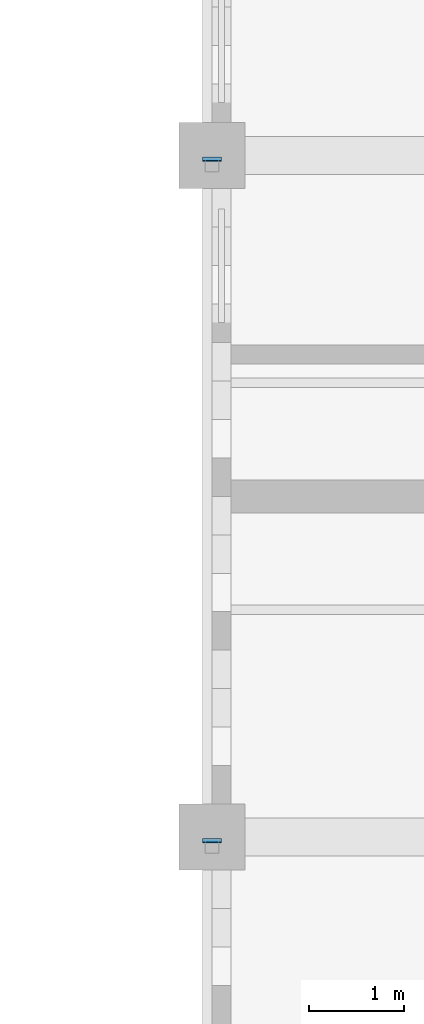
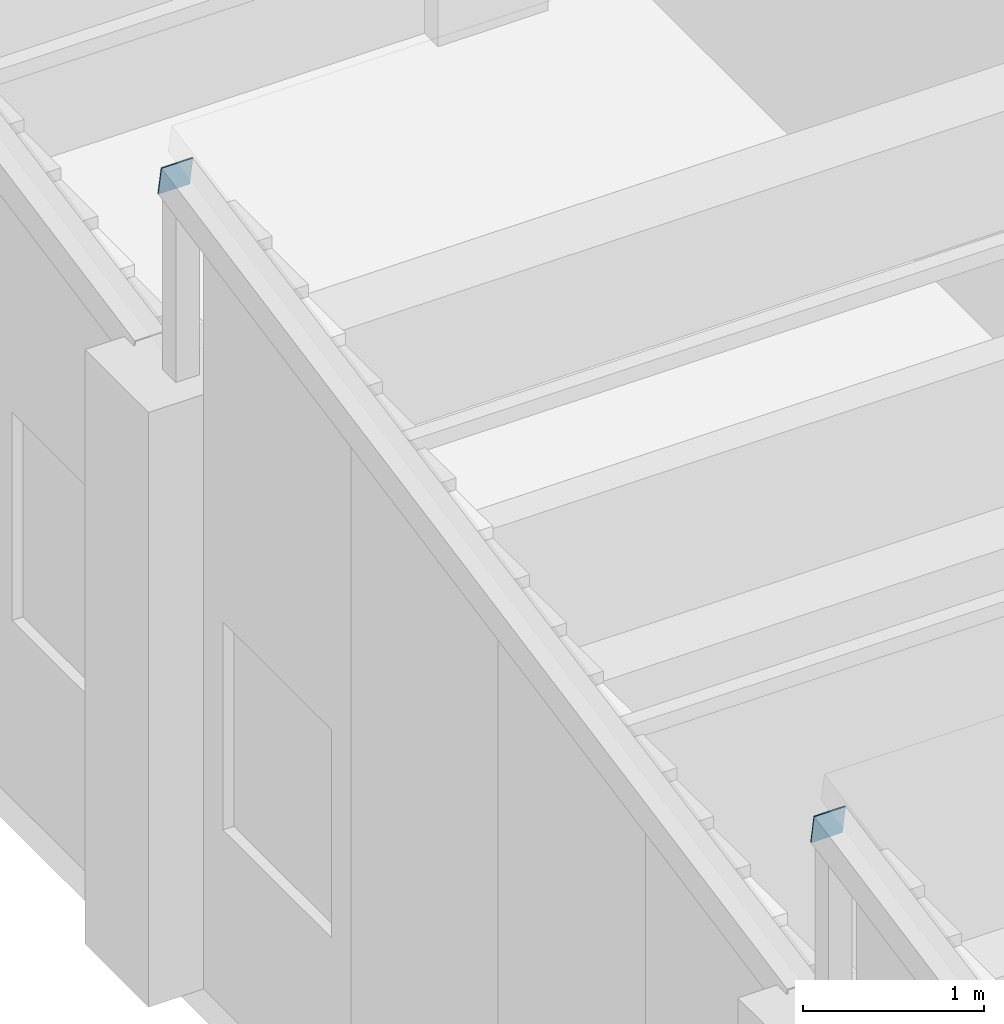
# One storey, part 86 of 103: 2 discrete accessories.
"""IFC4 building model written with IfcOpenShell, lengths in metres."""

from ifc_helpers import new_model, si_unit, direction, frame, origin, origin_2d, place, context, subcontext, project, spatial, rectangle, extrude, material, material_profile, profile_set, type_object, element, save


model = new_model("IFC4")

# Units and contexts
model_context = context("Model", 3, precision=1e-05, world=origin(), true_north=direction((0.0, 1.0)))
body_context = subcontext(model_context, "Body", "Model", "MODEL_VIEW")
ifc_project = project(units=[si_unit("LENGTHUNIT", "METRE"), si_unit("AREAUNIT", "SQUARE_METRE"), si_unit("VOLUMEUNIT", "CUBIC_METRE"), si_unit("PLANEANGLEUNIT", "RADIAN"), si_unit("MASSUNIT", "GRAM", prefix="KILO")], contexts=[model_context])

# Site, building, storey
site_placement = place(None, origin())
site = spatial("IfcSite", under=ifc_project, at=site_placement, CompositionType="ELEMENT")
building_placement = place(site_placement, origin())
building = spatial("IfcBuilding", under=site, at=building_placement, Name="Laocheng Heights Fire and Rescue Headquarters", CompositionType="ELEMENT")
storey_placement = place(building_placement, frame((0.0, 0.0, 4.199951171875)))
storey = spatial("IfcBuildingStorey", under=building, at=storey_placement, Name="L01", CompositionType="ELEMENT", Elevation=4.199951171875)

# Discrete accessories
ifc_material = material(Name="Steel Q355B", Category="steel")
ifc_material_profile = material_profile(ifc_material, rectangle(XDim=0.199951171875, YDim=0.199951171875, at=origin_2d()), Name="END CAP PLATE 200 x 200 x 8 FOR STEEL RAFTER SHS 200x200x8 SAWTOOTH")
ifc_profile_set = profile_set([ifc_material_profile], Name="Steel Q355B")
discrete_accessory_type = type_object("IfcDiscreteAccessoryType", Name="END CAP PLATE 200 x 200 x 8 FOR STEEL RAFTER SHS 200x200x8 SAWTOOTH", PredefinedType="BRACKET", material=ifc_profile_set)
discrete_accessory_1_placement = place(storey_placement, frame((108.0, 7.1572265625, 5.2861328125), z_axis=(0.0, 0.9838699101, 0.1788854382), x_axis=(-1.0, 0.0, 0.0)))
element("IfcDiscreteAccessory", 1, at=discrete_accessory_1_placement, inside=storey, type_object=discrete_accessory_type, Name="Cap plate at Sawtooth rafter end 2", PredefinedType="BRACKET", context=body_context, shape_type="SweptSolid", body=[
    extrude(rectangle(XDim=0.199951171875, YDim=0.199951171875, at=origin_2d()), origin(), (0.0, 0.0, 1.0), 0.00830078125),
])
discrete_accessory_2_placement = place(storey_placement, frame((108.0, 14.357421875, 5.2861328125), z_axis=(0.0, 0.982872186934, 0.18428853505), x_axis=(-1.0, 0.0, 0.0)))
element("IfcDiscreteAccessory", 2, at=discrete_accessory_2_placement, inside=storey, type_object=discrete_accessory_type, Name="Cap plate at Sawtooth rafter end 2", PredefinedType="BRACKET", context=body_context, shape_type="SweptSolid", body=[
    extrude(rectangle(XDim=0.199951171875, YDim=0.199951171875, at=origin_2d()), origin(), (0.0, 0.0, 1.0), 0.008056640625),
])

save(model, "model.ifc")
